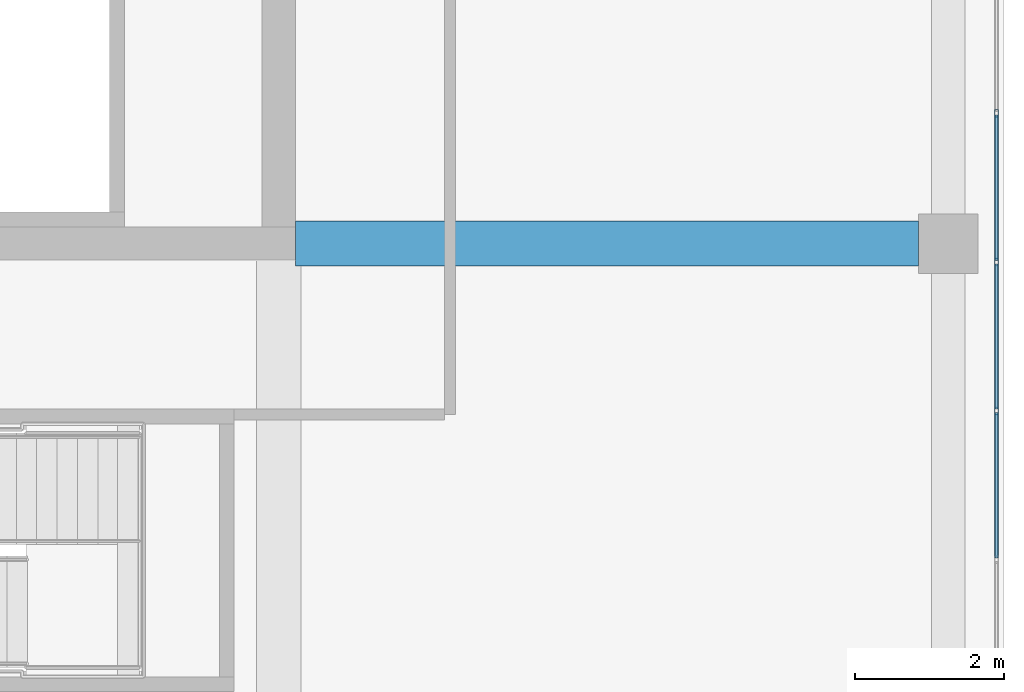
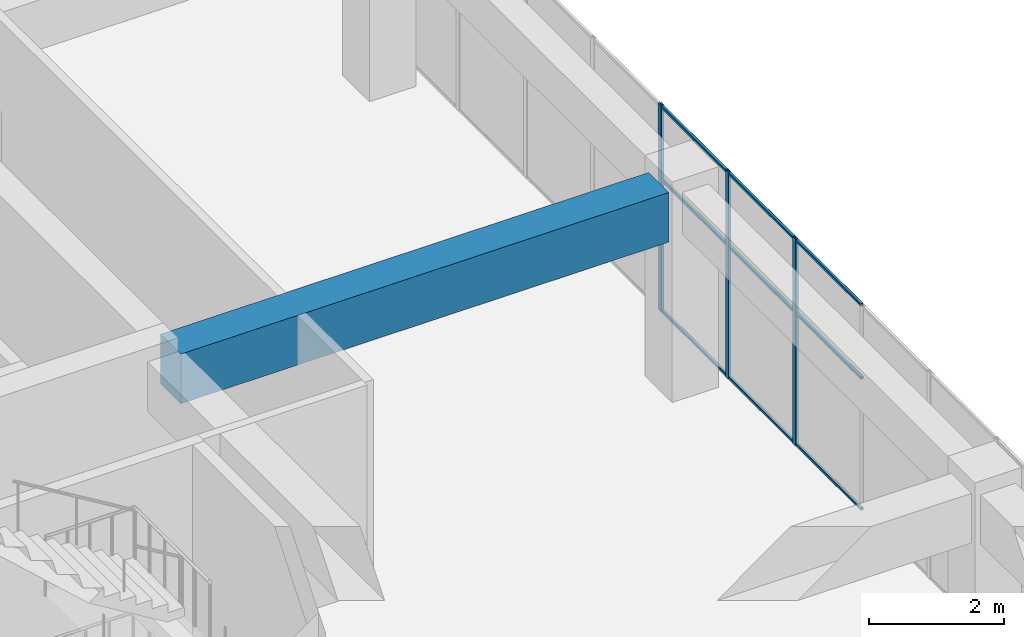
# One storey, part 40 of 65: 12 members, 1 beam, 1 element without a shape of its own.
"""IFC4 building model written with IfcOpenShell, lengths in metres."""

from ifc_helpers import new_model, si_unit, direction, frame, origin, origin_2d, place, context, subcontext, project, spatial, rectangle, hollow_rectangle, extrude, material, layer, layer_set, material_profile, profile_set, type_object, element, aggregate, save


model = new_model("IFC4")

# Units and contexts
model_context = context("Model", 3, precision=1e-05, world=origin(), true_north=direction((0.0, 1.0)))
body_context = subcontext(model_context, "Body", "Model", "MODEL_VIEW")
ifc_project = project(units=[si_unit("LENGTHUNIT", "METRE"), si_unit("AREAUNIT", "SQUARE_METRE"), si_unit("VOLUMEUNIT", "CUBIC_METRE"), si_unit("PLANEANGLEUNIT", "RADIAN"), si_unit("MASSUNIT", "GRAM", prefix="KILO")], contexts=[model_context])

# Site, building, storey
site_placement = place(None, origin())
site = spatial("IfcSite", under=ifc_project, at=site_placement, CompositionType="ELEMENT")
building_placement = place(site_placement, origin())
building = spatial("IfcBuilding", under=site, at=building_placement, Name="Tuart Plaza Theatre", CompositionType="ELEMENT")
storey_placement = place(building_placement, frame((0.0, 0.0, 9.5)))
storey = spatial("IfcBuildingStorey", under=building, at=storey_placement, Name="L02", CompositionType="ELEMENT", Elevation=9.5)

# Beam
ifc_material_1 = material(Name="Concrete N40 (40 MPa)", Category="concrete")
ifc_material_profile_1 = material_profile(ifc_material_1, rectangle(XDim=0.60009765625, YDim=0.89990234375, at=origin_2d()), Name="BEAM 600x900 Concrete N40 (40 MPa)")
ifc_profile_set_1 = profile_set([ifc_material_profile_1], Name="Concrete N40 (40 MPa)")
beam_type = type_object("IfcBeamType", Name="BEAM 600x900 Concrete N40 (40 MPa)", PredefinedType="BEAM", material=ifc_profile_set_1)
beam_placement = place(storey_placement, frame((141.22509765625, 65.0, 3.300048828125), z_axis=(1.0, 0.0, 0.0), x_axis=(0.0, 1.0, 0.0)))
element("IfcBeam", 1, at=beam_placement, inside=storey, type_object=beam_type, Name="RB194", PredefinedType="BEAM", context=body_context, shape_type="SweptSolid", body=[
    extrude(rectangle(XDim=0.60009765625, YDim=0.89990234375, at=origin_2d()), origin(), (0.0, 0.0, 1.0), 8.375),
])

# Curtain wall, members
ifc_material_2 = material(Name="Aluminium and glass", Category="aluminium")
ifc_layer = layer(ifc_material_2, 0.10009765625)
ifc_layer_set = layer_set([ifc_layer], Name="CURTAIN WALL 2000 module")
curtain_wall_type = type_object("IfcCurtainWallType", Name="CURTAIN WALL 2000 module", PredefinedType="NOTDEFINED", material=ifc_layer_set)
curtain_wall_placement = place(storey_placement, origin())
curtain_wall = element("IfcCurtainWall", 2, at=curtain_wall_placement, inside=storey, type_object=curtain_wall_type, Name="CW69", PredefinedType="NOTDEFINED")
ifc_material_3 = material(Name="Aluminium 6063-T5", Category="aluminium")
ifc_material_profile_2 = material_profile(ifc_material_3, hollow_rectangle(XDim=0.050048828125, YDim=0.10009765625, WallThickness=0.00390625, InnerFilletRadius=0.00390625, OuterFilletRadius=0.008056640625, at=origin_2d()), Name="RHS 100x50x4")
ifc_profile_set_2 = profile_set([ifc_material_profile_2], Name="Aluminium 6063-T5")
member_type_1 = type_object("IfcMemberType", Name="MULLION RHS 100x50x4", PredefinedType="MULLION", material=ifc_profile_set_2)
member_1_placement = place(storey_placement, frame((150.64990234375, 62.75, 0.0), z_axis=(0.0, 0.0, 1.0), x_axis=(-1.0, 0.0, 0.0)))
member_1 = element("IfcMember", 3, at=member_1_placement, type_object=member_type_1, Name="CW69 mullion 7", PredefinedType="MULLION", context=body_context, shape_type="SweptSolid", body=[
    extrude(hollow_rectangle(XDim=0.050048828125, YDim=0.10009765625, WallThickness=0.00390625, InnerFilletRadius=0.00390625, OuterFilletRadius=0.008056640625, at=origin_2d()), origin(), (0.0, 0.0, 1.0), 3.75),
])
member_2_placement = place(storey_placement, frame((150.64990234375, 64.75, 0.0), z_axis=(0.0, 0.0, 1.0), x_axis=(-1.0, 0.0, 0.0)))
member_2 = element("IfcMember", 4, at=member_2_placement, type_object=member_type_1, Name="CW69 mullion 8", PredefinedType="MULLION", context=body_context, shape_type="SweptSolid", body=[
    extrude(hollow_rectangle(XDim=0.050048828125, YDim=0.10009765625, WallThickness=0.00390625, InnerFilletRadius=0.00390625, OuterFilletRadius=0.008056640625, at=origin_2d()), origin(), (0.0, 0.0, 1.0), 3.75),
])
member_3_placement = place(storey_placement, frame((150.64990234375, 66.75, 0.0), z_axis=(0.0, 0.0, 1.0), x_axis=(-1.0, 0.0, 0.0)))
member_3 = element("IfcMember", 5, at=member_3_placement, type_object=member_type_1, Name="CW69 mullion 9", PredefinedType="MULLION", context=body_context, shape_type="SweptSolid", body=[
    extrude(hollow_rectangle(XDim=0.050048828125, YDim=0.10009765625, WallThickness=0.00390625, InnerFilletRadius=0.00390625, OuterFilletRadius=0.008056640625, at=origin_2d()), origin(), (0.0, 0.0, 1.0), 3.75),
])
ifc_material_4 = material(Name="Aluminium 6063-T5", Category="aluminium")
ifc_material_profile_3 = material_profile(ifc_material_4, hollow_rectangle(XDim=0.050048828125, YDim=0.050048828125, WallThickness=0.00390625, InnerFilletRadius=0.00390625, OuterFilletRadius=0.008056640625, at=origin_2d()), Name="RHS 50x50x4")
ifc_profile_set_3 = profile_set([ifc_material_profile_3], Name="Aluminium 6063-T5")
member_type_2 = type_object("IfcMemberType", Name="TRANSOM RHS 50x50x4", PredefinedType="USERDEFINED", material=ifc_profile_set_3)
member_4_placement = place(storey_placement, frame((150.64990234375, 60.77490234375, 0.02490234375), z_axis=(0.0, 1.0, 0.0), x_axis=(-1.0, 0.0, 0.0)))
member_4 = element("IfcMember", 6, at=member_4_placement, type_object=member_type_2, Name="CW69 transom 6.1", ObjectType="TRANSOM", PredefinedType="USERDEFINED", context=body_context, shape_type="SweptSolid", body=[
    extrude(hollow_rectangle(XDim=0.050048828125, YDim=0.050048828125, WallThickness=0.00390625, InnerFilletRadius=0.00390625, OuterFilletRadius=0.008056640625, at=origin_2d()), origin(), (0.0, 0.0, 1.0), 1.9501953125),
])
member_5_placement = place(storey_placement, frame((150.64990234375, 60.77490234375, 2.39990234375), z_axis=(0.0, 1.0, 0.0), x_axis=(-1.0, 0.0, 0.0)))
member_5 = element("IfcMember", 7, at=member_5_placement, type_object=member_type_2, Name="CW69 transom 6.2", ObjectType="TRANSOM", PredefinedType="USERDEFINED", context=body_context, shape_type="SweptSolid", body=[
    extrude(hollow_rectangle(XDim=0.050048828125, YDim=0.050048828125, WallThickness=0.00390625, InnerFilletRadius=0.00390625, OuterFilletRadius=0.008056640625, at=origin_2d()), origin(), (0.0, 0.0, 1.0), 1.9501953125),
])
member_6_placement = place(storey_placement, frame((150.64990234375, 60.77490234375, 3.72509765625), z_axis=(0.0, 1.0, 0.0), x_axis=(-1.0, 0.0, 0.0)))
member_6 = element("IfcMember", 8, at=member_6_placement, type_object=member_type_2, Name="CW69 transom 6.3", ObjectType="TRANSOM", PredefinedType="USERDEFINED", context=body_context, shape_type="SweptSolid", body=[
    extrude(hollow_rectangle(XDim=0.050048828125, YDim=0.050048828125, WallThickness=0.00390625, InnerFilletRadius=0.00390625, OuterFilletRadius=0.008056640625, at=origin_2d()), origin(), (0.0, 0.0, 1.0), 1.9501953125),
])
member_7_placement = place(storey_placement, frame((150.64990234375, 62.77490234375, 0.02490234375), z_axis=(0.0, 1.0, 0.0), x_axis=(-1.0, 0.0, 0.0)))
member_7 = element("IfcMember", 9, at=member_7_placement, type_object=member_type_2, Name="CW69 transom 7.1", ObjectType="TRANSOM", PredefinedType="USERDEFINED", context=body_context, shape_type="SweptSolid", body=[
    extrude(hollow_rectangle(XDim=0.050048828125, YDim=0.050048828125, WallThickness=0.00390625, InnerFilletRadius=0.00390625, OuterFilletRadius=0.008056640625, at=origin_2d()), origin(), (0.0, 0.0, 1.0), 1.9501953125),
])
member_8_placement = place(storey_placement, frame((150.64990234375, 62.77490234375, 2.39990234375), z_axis=(0.0, 1.0, 0.0), x_axis=(-1.0, 0.0, 0.0)))
member_8 = element("IfcMember", 10, at=member_8_placement, type_object=member_type_2, Name="CW69 transom 7.2", ObjectType="TRANSOM", PredefinedType="USERDEFINED", context=body_context, shape_type="SweptSolid", body=[
    extrude(hollow_rectangle(XDim=0.050048828125, YDim=0.050048828125, WallThickness=0.00390625, InnerFilletRadius=0.00390625, OuterFilletRadius=0.008056640625, at=origin_2d()), origin(), (0.0, 0.0, 1.0), 1.9501953125),
])
member_9_placement = place(storey_placement, frame((150.64990234375, 62.77490234375, 3.72509765625), z_axis=(0.0, 1.0, 0.0), x_axis=(-1.0, 0.0, 0.0)))
member_9 = element("IfcMember", 11, at=member_9_placement, type_object=member_type_2, Name="CW69 transom 7.3", ObjectType="TRANSOM", PredefinedType="USERDEFINED", context=body_context, shape_type="SweptSolid", body=[
    extrude(hollow_rectangle(XDim=0.050048828125, YDim=0.050048828125, WallThickness=0.00390625, InnerFilletRadius=0.00390625, OuterFilletRadius=0.008056640625, at=origin_2d()), origin(), (0.0, 0.0, 1.0), 1.9501953125),
])
member_10_placement = place(storey_placement, frame((150.64990234375, 64.77490234375, 0.02490234375), z_axis=(0.0, 1.0, 0.0), x_axis=(-1.0, 0.0, 0.0)))
member_10 = element("IfcMember", 12, at=member_10_placement, type_object=member_type_2, Name="CW69 transom 8.1", ObjectType="TRANSOM", PredefinedType="USERDEFINED", context=body_context, shape_type="SweptSolid", body=[
    extrude(hollow_rectangle(XDim=0.050048828125, YDim=0.050048828125, WallThickness=0.00390625, InnerFilletRadius=0.00390625, OuterFilletRadius=0.008056640625, at=origin_2d()), origin(), (0.0, 0.0, 1.0), 1.9501953125),
])
member_11_placement = place(storey_placement, frame((150.64990234375, 64.77490234375, 2.39990234375), z_axis=(0.0, 1.0, 0.0), x_axis=(-1.0, 0.0, 0.0)))
member_11 = element("IfcMember", 13, at=member_11_placement, type_object=member_type_2, Name="CW69 transom 8.2", ObjectType="TRANSOM", PredefinedType="USERDEFINED", context=body_context, shape_type="SweptSolid", body=[
    extrude(hollow_rectangle(XDim=0.050048828125, YDim=0.050048828125, WallThickness=0.00390625, InnerFilletRadius=0.00390625, OuterFilletRadius=0.008056640625, at=origin_2d()), origin(), (0.0, 0.0, 1.0), 1.9501953125),
])
member_12_placement = place(storey_placement, frame((150.64990234375, 64.77490234375, 3.72509765625), z_axis=(0.0, 1.0, 0.0), x_axis=(-1.0, 0.0, 0.0)))
member_12 = element("IfcMember", 14, at=member_12_placement, type_object=member_type_2, Name="CW69 transom 8.3", ObjectType="TRANSOM", PredefinedType="USERDEFINED", context=body_context, shape_type="SweptSolid", body=[
    extrude(hollow_rectangle(XDim=0.050048828125, YDim=0.050048828125, WallThickness=0.00390625, InnerFilletRadius=0.00390625, OuterFilletRadius=0.008056640625, at=origin_2d()), origin(), (0.0, 0.0, 1.0), 1.9501953125),
])
aggregate(curtain_wall, [member_1, member_2, member_3, member_4, member_5, member_6, member_7, member_8, member_9, member_10, member_11, member_12])

save(model, "model.ifc")
